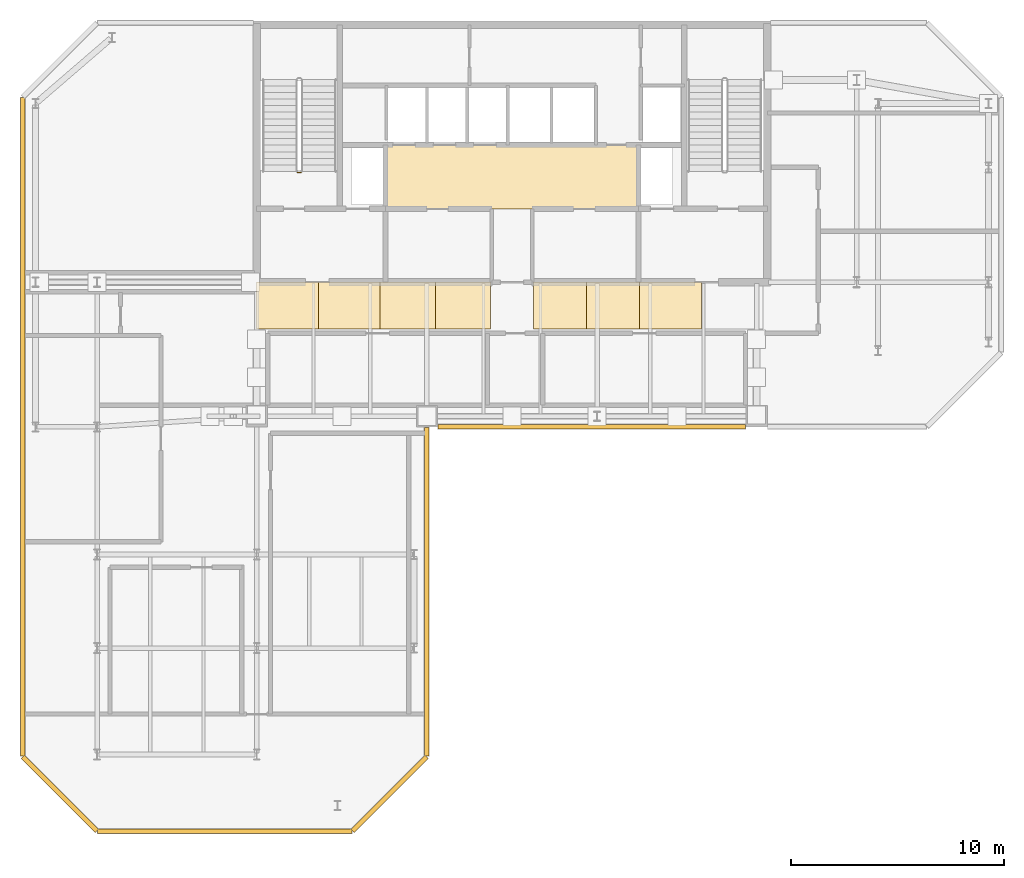
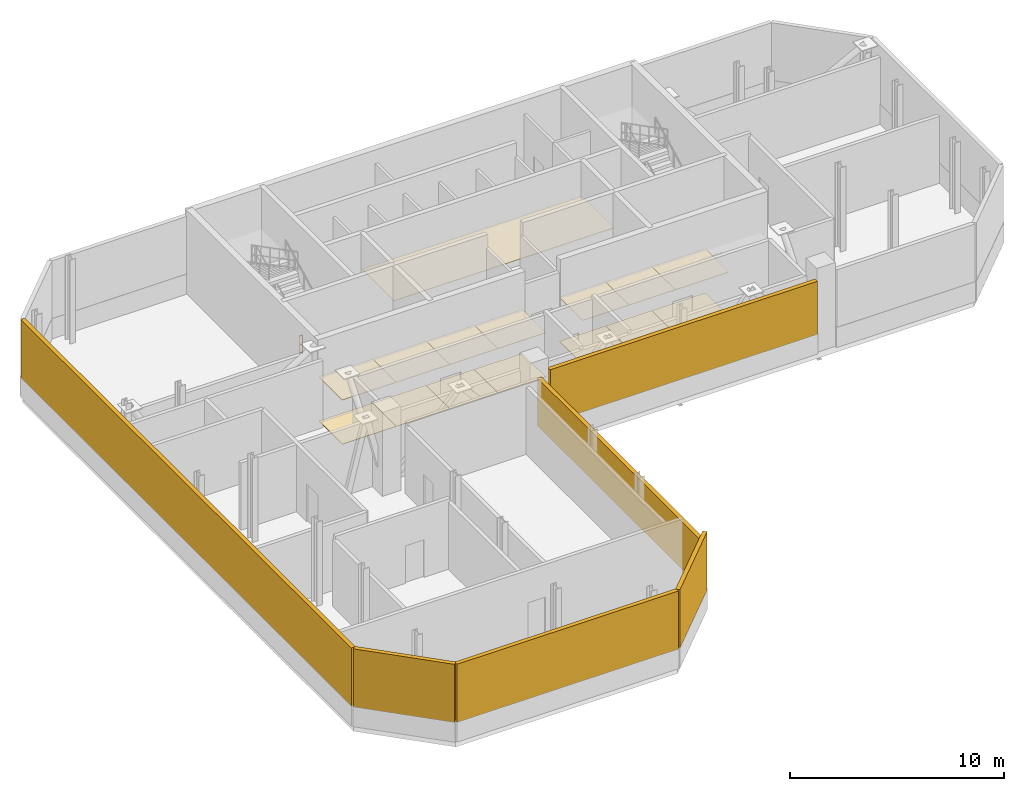
# One storey, part 6 of 7: 15 coverings, 6 shading devices, 1 railing.
"""IFC4 building model written with IfcOpenShell, lengths in metres."""

from ifc_helpers import new_model, si_unit, direction, frame, origin, origin_2d, place, context, subcontext, project, spatial, polyline, rectangle, circle, outline, extrude, material, layer, layer_set, type_object, element, save


model = new_model("IFC4")

# Units and contexts
model_context = context("Model", 3, precision=1e-05, world=origin(), true_north=direction((0.0, 1.0)))
body_context = subcontext(model_context, "Body", "Model", "MODEL_VIEW")
ifc_project = project(units=[si_unit("LENGTHUNIT", "METRE"), si_unit("AREAUNIT", "SQUARE_METRE"), si_unit("VOLUMEUNIT", "CUBIC_METRE"), si_unit("PLANEANGLEUNIT", "RADIAN"), si_unit("MASSUNIT", "GRAM", prefix="KILO")], contexts=[model_context])

# Site, building, storey
site_placement = place(None, origin())
site = spatial("IfcSite", under=ifc_project, at=site_placement, CompositionType="ELEMENT")
building_placement = place(site_placement, origin())
building = spatial("IfcBuilding", under=site, at=building_placement, Name="Catumbela Crestline Tower", CompositionType="ELEMENT")
storey_placement = place(building_placement, frame((0.0, 0.0, 208.2)))
storey = spatial("IfcBuildingStorey", under=building, at=storey_placement, Name="L54", CompositionType="ELEMENT", Elevation=208.2)

# Coverings
ifc_material_1 = material(Name="Mineral-fibre acoustic ceiling")
ifc_layer_1 = layer(ifc_material_1, 0.03, Name="Mineral-fibre acoustic ceiling")
ifc_layer_set_1 = layer_set([ifc_layer_1], Name="Mineral-fibre acoustic ceiling")
covering_type_1 = type_object("IfcCoveringType", Name="CC-AC", PredefinedType="CEILING", material=ifc_layer_set_1)
covering_1_placement = place(storey_placement, frame((0.0, 0.0, 2.65)))
element("IfcCovering", 1, at=covering_1_placement, inside=storey, type_object=covering_type_1, Name="L54 Lift Lobby Acoustic Ceiling", PredefinedType="CEILING", context=body_context, shape_type="SweptSolid", body=[
    extrude(outline(polyline([(22.05, 34.25), (33.95, 34.25), (33.95, 37.25), (22.05, 37.25), (22.05, 34.25)])), origin(), (0.0, 0.0, 1.0), 0.03),
])
covering_2_placement = place(storey_placement, frame((0.0, 0.0, 2.52)))
element("IfcCovering", 2, at=covering_2_placement, inside=storey, type_object=covering_type_1, Name="L54 Corridor Acoustic Ceiling Bay 1", PredefinedType="CEILING", context=body_context, shape_type="SweptSolid", body=[
    extrude(outline(polyline([(16.0, 28.6), (18.9, 28.6), (18.9, 30.8), (16.0, 30.8), (16.0, 28.6)])), origin(), (0.0, 0.0, 1.0), 0.03),
])
covering_3_placement = place(storey_placement, frame((0.0, 0.0, 2.52)))
element("IfcCovering", 3, at=covering_3_placement, inside=storey, type_object=covering_type_1, Name="L54 Corridor Acoustic Ceiling Bay 2", PredefinedType="CEILING", context=body_context, shape_type="SweptSolid", body=[
    extrude(outline(polyline([(18.9, 28.6), (21.8, 28.6), (21.8, 30.8), (18.9, 30.8), (18.9, 28.6)])), origin(), (0.0, 0.0, 1.0), 0.03),
])
covering_4_placement = place(storey_placement, frame((0.0, 0.0, 2.52)))
element("IfcCovering", 4, at=covering_4_placement, inside=storey, type_object=covering_type_1, Name="L54 Corridor Acoustic Ceiling Bay 3", PredefinedType="CEILING", context=body_context, shape_type="SweptSolid", body=[
    extrude(outline(polyline([(21.8, 28.6), (24.4, 28.6), (24.4, 30.8), (21.8, 30.8), (21.8, 28.6)])), origin(), (0.0, 0.0, 1.0), 0.03),
])
covering_5_placement = place(storey_placement, frame((0.0, 0.0, 2.52)))
element("IfcCovering", 5, at=covering_5_placement, inside=storey, type_object=covering_type_1, Name="L54 Corridor Acoustic Ceiling Bay 4", PredefinedType="CEILING", context=body_context, shape_type="SweptSolid", body=[
    extrude(outline(polyline([(24.4, 28.6), (27.0, 28.6), (27.0, 30.8), (24.4, 30.8), (24.4, 28.6)])), origin(), (0.0, 0.0, 1.0), 0.03),
])
covering_6_placement = place(storey_placement, frame((0.0, 0.0, 2.52)))
element("IfcCovering", 6, at=covering_6_placement, inside=storey, type_object=covering_type_1, Name="L54 Corridor Acoustic Ceiling Bay 5", PredefinedType="CEILING", context=body_context, shape_type="SweptSolid", body=[
    extrude(outline(polyline([(29.0, 28.6), (31.5, 28.6), (31.5, 30.8), (29.0, 30.8), (29.0, 28.6)])), origin(), (0.0, 0.0, 1.0), 0.03),
])
covering_7_placement = place(storey_placement, frame((0.0, 0.0, 2.52)))
element("IfcCovering", 7, at=covering_7_placement, inside=storey, type_object=covering_type_1, Name="L54 Corridor Acoustic Ceiling Bay 6", PredefinedType="CEILING", context=body_context, shape_type="SweptSolid", body=[
    extrude(outline(polyline([(31.5, 28.6), (34.0, 28.6), (34.0, 30.8), (31.5, 30.8), (31.5, 28.6)])), origin(), (0.0, 0.0, 1.0), 0.03),
])
covering_8_placement = place(storey_placement, frame((0.0, 0.0, 2.52)))
element("IfcCovering", 8, at=covering_8_placement, inside=storey, type_object=covering_type_1, Name="L54 Corridor Acoustic Ceiling Bay 7", PredefinedType="CEILING", context=body_context, shape_type="SweptSolid", body=[
    extrude(outline(polyline([(34.0, 28.6), (36.9, 28.6), (36.9, 30.8), (34.0, 30.8), (34.0, 28.6)])), origin(), (0.0, 0.0, 1.0), 0.03),
])
ifc_material_2 = material(Name="Angolan grey-ochre granite", Category="masonry")
ifc_layer_2 = layer(ifc_material_2, 0.025, Name="Angolan grey-ochre granite")
ifc_layer_set_2 = layer_set([ifc_layer_2], Name="Angolan grey-ochre granite")
covering_type_2 = type_object("IfcCoveringType", Name="CF-GR", PredefinedType="FLOORING", material=ifc_layer_set_2)
covering_9_placement = place(storey_placement, origin())
element("IfcCovering", 9, at=covering_9_placement, inside=storey, type_object=covering_type_2, Name="L54 Corridor Granite Flooring Bay 1", PredefinedType="FLOORING", context=body_context, shape_type="SweptSolid", body=[
    extrude(outline(polyline([(16.0, 28.6), (18.9, 28.6), (18.9, 30.8), (16.0, 30.8), (16.0, 28.6)])), origin(), (0.0, 0.0, 1.0), 0.025),
])
covering_10_placement = place(storey_placement, origin())
element("IfcCovering", 10, at=covering_10_placement, inside=storey, type_object=covering_type_2, Name="L54 Corridor Granite Flooring Bay 2", PredefinedType="FLOORING", context=body_context, shape_type="SweptSolid", body=[
    extrude(outline(polyline([(18.9, 28.6), (21.8, 28.6), (21.8, 30.8), (18.9, 30.8), (18.9, 28.6)])), origin(), (0.0, 0.0, 1.0), 0.025),
])
covering_11_placement = place(storey_placement, origin())
element("IfcCovering", 11, at=covering_11_placement, inside=storey, type_object=covering_type_2, Name="L54 Corridor Granite Flooring Bay 3", PredefinedType="FLOORING", context=body_context, shape_type="SweptSolid", body=[
    extrude(outline(polyline([(21.8, 28.6), (24.4, 28.6), (24.4, 30.8), (21.8, 30.8), (21.8, 28.6)])), origin(), (0.0, 0.0, 1.0), 0.025),
])
covering_12_placement = place(storey_placement, origin())
element("IfcCovering", 12, at=covering_12_placement, inside=storey, type_object=covering_type_2, Name="L54 Corridor Granite Flooring Bay 4", PredefinedType="FLOORING", context=body_context, shape_type="SweptSolid", body=[
    extrude(outline(polyline([(24.4, 28.6), (27.0, 28.6), (27.0, 30.8), (24.4, 30.8), (24.4, 28.6)])), origin(), (0.0, 0.0, 1.0), 0.025),
])
covering_13_placement = place(storey_placement, origin())
element("IfcCovering", 13, at=covering_13_placement, inside=storey, type_object=covering_type_2, Name="L54 Corridor Granite Flooring Bay 5", PredefinedType="FLOORING", context=body_context, shape_type="SweptSolid", body=[
    extrude(outline(polyline([(29.0, 28.6), (31.5, 28.6), (31.5, 30.8), (29.0, 30.8), (29.0, 28.6)])), origin(), (0.0, 0.0, 1.0), 0.025),
])
covering_14_placement = place(storey_placement, origin())
element("IfcCovering", 14, at=covering_14_placement, inside=storey, type_object=covering_type_2, Name="L54 Corridor Granite Flooring Bay 6", PredefinedType="FLOORING", context=body_context, shape_type="SweptSolid", body=[
    extrude(outline(polyline([(31.5, 28.6), (34.0, 28.6), (34.0, 30.8), (31.5, 30.8), (31.5, 28.6)])), origin(), (0.0, 0.0, 1.0), 0.025),
])
covering_15_placement = place(storey_placement, origin())
element("IfcCovering", 15, at=covering_15_placement, inside=storey, type_object=covering_type_2, Name="L54 Corridor Granite Flooring Bay 7", PredefinedType="FLOORING", context=body_context, shape_type="SweptSolid", body=[
    extrude(outline(polyline([(34.0, 28.6), (36.9, 28.6), (36.9, 30.8), (34.0, 30.8), (34.0, 28.6)])), origin(), (0.0, 0.0, 1.0), 0.025),
])

# Railing
ifc_material_3 = material(Name="Stainless steel EN 1.4401", Category="steel")
railing_type = type_object("IfcRailingType", Name="RG-1100", PredefinedType="GUARDRAIL", material=ifc_material_3)
railing_placement = place(storey_placement, frame((18.09, 35.95, 0.0)))
element("IfcRailing", 16, at=railing_placement, inside=storey, type_object=railing_type, Name="L54 ST-01 stair guard 4", PredefinedType="GUARDRAIL", context=body_context, shape_type="SweptSolid", body=[
    extrude(circle(Radius=0.024, at=origin_2d()), frame((0.0, 0.0, 1.076), z_axis=(-1.0, 0.0, 0.0), x_axis=(0.0, -1.0, 0.0)), (0.0, 0.0, 1.0), 0.18),
    extrude(circle(Radius=0.0156, at=origin_2d()), frame((0.0, 0.0, 0.55), z_axis=(-1.0, 0.0, 0.0), x_axis=(0.0, -1.0, 0.0)), (0.0, 0.0, 1.0), 0.18),
    extrude(circle(Radius=0.0156, at=origin_2d()), frame((0.0, 0.0, 0.12), z_axis=(-1.0, 0.0, 0.0), x_axis=(0.0, -1.0, 0.0)), (0.0, 0.0, 1.0), 0.18),
    extrude(circle(Radius=0.021, at=origin_2d()), origin(), (0.0, 0.0, 1.0), 1.052),
    extrude(circle(Radius=0.021, at=origin_2d()), frame((-0.18, 0.0, 0.0)), (0.0, 0.0, 1.0), 1.052),
])

# Shading devices
ifc_material_4 = material(Name="Aluminium alloy AW-6060-T66", Category="aluminium")
shading_device_type = type_object("IfcShadingDeviceType", Name="SL-PLT", PredefinedType="JALOUSIE", material=ifc_material_4)
shading_device_1_placement = place(storey_placement, frame((14.5, 5.0, 1.11), z_axis=(0.0, 0.0, 1.0), x_axis=(1.0, 0.0, 0.0)))
element("IfcShadingDevice", 17, at=shading_device_1_placement, inside=storey, type_object=shading_device_type, Name="L54 Acoustic Plant Louvre Bank 25", PredefinedType="JALOUSIE", context=body_context, shape_type="SweptSolid", body=[
    extrude(rectangle(XDim=11.96, YDim=0.22, at=origin_2d()), origin(), (0.0, 0.0, 1.0), 3.33),
])
shading_device_2_placement = place(storey_placement, frame((22.25, 6.75, 1.11), z_axis=(0.0, 0.0, 1.0), x_axis=(0.707106781187, 0.707106781187, 0.0)))
element("IfcShadingDevice", 18, at=shading_device_2_placement, inside=storey, type_object=shading_device_type, Name="L54 Acoustic Plant Louvre Bank 26", PredefinedType="JALOUSIE", context=body_context, shape_type="SweptSolid", body=[
    extrude(rectangle(XDim=4.9097, YDim=0.22, at=origin_2d()), origin(), (0.0, 0.0, 1.0), 3.33),
])
shading_device_3_placement = place(storey_placement, frame((24.0, 16.25, 1.11), z_axis=(0.0, 0.0, 1.0), x_axis=(0.0, 1.0, 0.0)))
element("IfcShadingDevice", 19, at=shading_device_3_placement, inside=storey, type_object=shading_device_type, Name="L54 Acoustic Plant Louvre Bank 27", PredefinedType="JALOUSIE", context=body_context, shape_type="SweptSolid", body=[
    extrude(rectangle(XDim=15.46, YDim=0.22, at=origin_2d()), origin(), (0.0, 0.0, 1.0), 2.72),
])
shading_device_4_placement = place(storey_placement, frame((31.75, 24.0, 1.11), z_axis=(0.0, 0.0, 1.0), x_axis=(1.0, 0.0, 0.0)))
element("IfcShadingDevice", 20, at=shading_device_4_placement, inside=storey, type_object=shading_device_type, Name="L54 Acoustic Plant Louvre Bank 28", PredefinedType="JALOUSIE", context=body_context, shape_type="SweptSolid", body=[
    extrude(rectangle(XDim=14.46, YDim=0.22, at=origin_2d()), origin(), (0.0, 0.0, 1.0), 3.04),
])
shading_device_5_placement = place(storey_placement, frame((5.0, 24.0, 1.11), z_axis=(0.0, 0.0, 1.0), x_axis=(0.0, -1.0, 0.0)))
element("IfcShadingDevice", 21, at=shading_device_5_placement, inside=storey, type_object=shading_device_type, Name="L54 Acoustic Plant Louvre Bank 36", PredefinedType="JALOUSIE", context=body_context, shape_type="SweptSolid", body=[
    extrude(rectangle(XDim=30.96, YDim=0.22, at=origin_2d()), origin(), (0.0, 0.0, 1.0), 3.33),
])
shading_device_6_placement = place(storey_placement, frame((6.75, 6.75, 1.11), z_axis=(0.0, 0.0, 1.0), x_axis=(0.707106781187, -0.707106781187, 0.0)))
element("IfcShadingDevice", 22, at=shading_device_6_placement, inside=storey, type_object=shading_device_type, Name="L54 Acoustic Plant Louvre Bank 37", PredefinedType="JALOUSIE", context=body_context, shape_type="SweptSolid", body=[
    extrude(rectangle(XDim=4.9097, YDim=0.22, at=origin_2d()), origin(), (0.0, 0.0, 1.0), 3.33),
])

save(model, "model.ifc")
